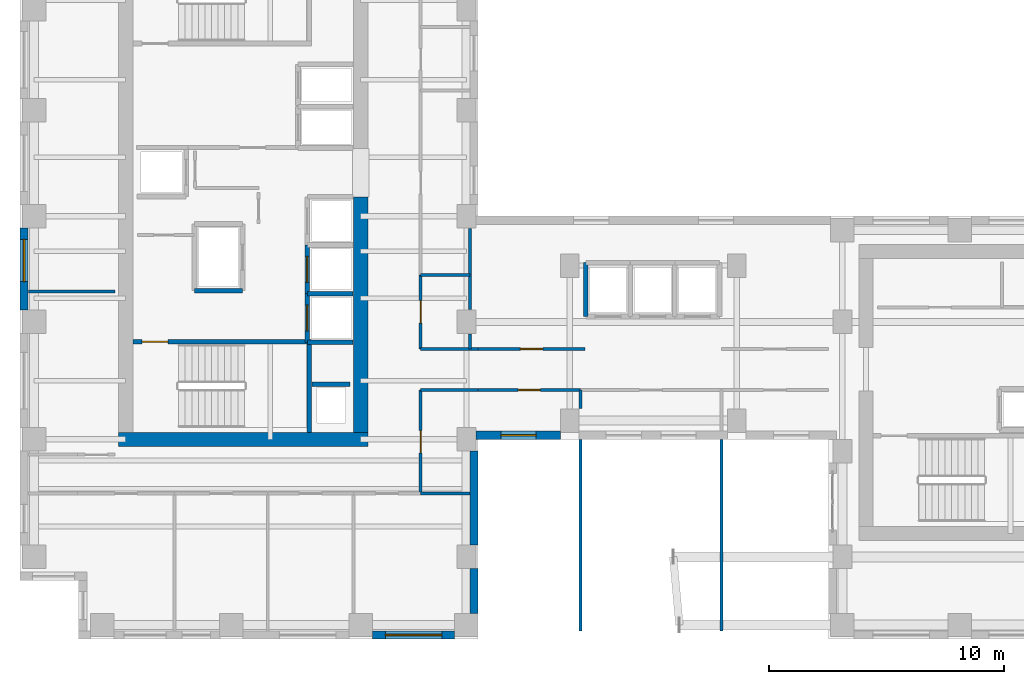
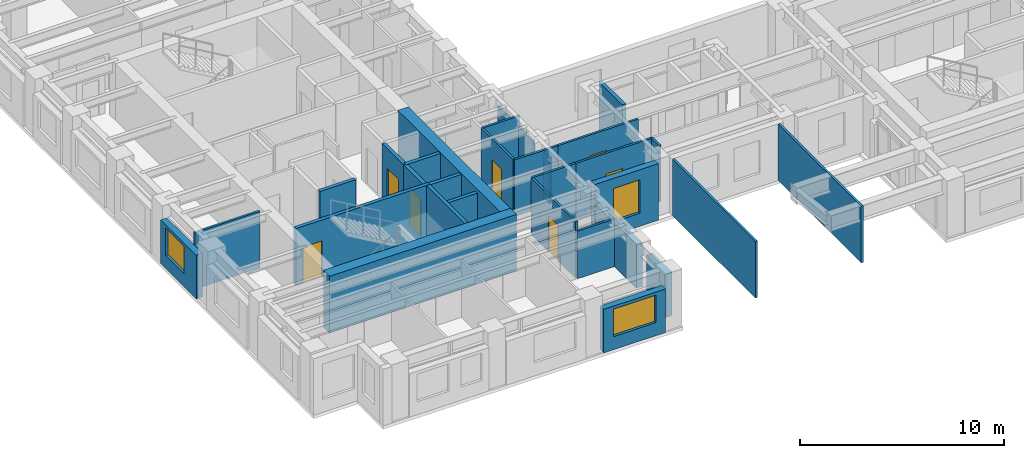
# One storey, part 6 of 13: 30 walls, 7 doors, 3 windows, 10 openings.
"""IFC4 building model written with IfcOpenShell, lengths in metres."""

from ifc_helpers import new_model, si_unit, direction, frame, frame_2d, origin, place, context, subcontext, project, spatial, rectangle, extrude, source, transform, mapped, material, layer, layer_set, type_object, element, fill, save


model = new_model("IFC4")

# Units and contexts
model_context = context("Model", 3, precision=1e-05, world=origin(), true_north=direction((0.0, 1.0)))
body_context = subcontext(model_context, "Body", "Model", "MODEL_VIEW")
ifc_project = project(units=[si_unit("LENGTHUNIT", "METRE"), si_unit("AREAUNIT", "SQUARE_METRE"), si_unit("VOLUMEUNIT", "CUBIC_METRE"), si_unit("PLANEANGLEUNIT", "RADIAN"), si_unit("MASSUNIT", "GRAM", prefix="KILO")], contexts=[model_context])

# Site, building, storey
site_placement = place(None, origin())
site = spatial("IfcSite", under=ifc_project, at=site_placement, CompositionType="ELEMENT")
building_placement = place(site_placement, origin())
building = spatial("IfcBuilding", under=site, at=building_placement, Name="Kharzan Plaza Tower", CompositionType="ELEMENT")
storey_placement = place(building_placement, frame((0.0, 0.0, 175.5)))
storey = spatial("IfcBuildingStorey", under=building, at=storey_placement, Name="L47", CompositionType="ELEMENT", Elevation=175.5)

# Wall, opening, window
ifc_material_1 = material(Name="Concrete C40/50", Category="concrete")
ifc_layer_1 = layer(ifc_material_1, 0.35009765625)
ifc_layer_set_1 = layer_set([ifc_layer_1], Name="Concrete C40/50")
wall_type_1 = type_object("IfcWallType", Name="WL-EXT-MAS-Z3", PredefinedType="SOLIDWALL", material=ifc_layer_set_1)
wall_1_placement = place(storey_placement, frame((0.175048828125, 17.501953125, 0.0), z_axis=(0.0, 0.0, 1.0), x_axis=(0.0, -1.0, 0.0)))
wall_1 = element("IfcWall", 1, at=wall_1_placement, inside=storey, type_object=wall_type_1, Name="L47 Masonry-Frame Exterior Wall 15", PredefinedType="SOLIDWALL", context=body_context, shape_type="SweptSolid", body=[
    extrude(rectangle(XDim=3.50390625, YDim=0.35009765625, at=frame_2d((1.751953125, 0.0))), origin(), (0.0, 0.0, 1.0), 2.612060546875),
])
opening_1_placement = place(wall_1_placement, frame((0.486083984375, 0.0, 0.780029296875)))
opening_1 = element("IfcOpeningElement", 2, at=opening_1_placement, cuts=wall_1, Name="Opening W1", PredefinedType="OPENING", context=body_context, shape_type="SweptSolid", body=[
    extrude(rectangle(XDim=1.800048828125, YDim=1.652099609375, at=frame_2d((0.89990234375, 0.826171875))), frame((0.0, 0.18505859375, 0.0), z_axis=(0.0, -1.0, 0.0), x_axis=(1.0, 0.0, 0.0)), (0.0, 0.0, 1.0), 0.3701171875),
])
ifc_material_2 = material(Name="Low-E Double Glazing", Category="glass")
window_type_1 = type_object("IfcWindowType", Name="WN-REC-1800x2100", PartitioningType="SINGLE_PANEL", PredefinedType="WINDOW", material=ifc_material_2)
shared_shape_1 = source(origin(), body_context, "Body", "SweptSolid", [
    extrude(rectangle(XDim=1.800048828125, YDim=1.652099609375, at=frame_2d((0.89990234375, 0.826171875))), frame((0.0, 0.030029296875, 0.0), z_axis=(0.0, -1.0, 0.0), x_axis=(1.0, 0.0, 0.0)), (0.0, 0.0, 1.0), 0.06005859375),
])
window_1_placement = place(opening_1_placement, origin())
window_1 = element("IfcWindow", 3, at=window_1_placement, inside=storey, type_object=window_type_1, Name="L47 Recessed Solar-Control Window 15-1", OverallHeight=1.652099609375, OverallWidth=1.800048828125, PartitioningType="SINGLE_PANEL", PredefinedType="WINDOW", context=body_context, shape_type="MappedRepresentation", body=[
    mapped(shared_shape_1, transform((0.0, 0.0, 0.0), x_axis=(1.0, 0.0, 0.0), y_axis=(0.0, 1.0, 0.0), z_axis=(0.0, 0.0, 1.0))),
])
fill(opening_1, window_1)

wall_2_placement = place(storey_placement, frame((14.998046875, 0.175048828125, 0.0), z_axis=(0.0, 0.0, 1.0), x_axis=(1.0, 0.0, 0.0)))
wall_2 = element("IfcWall", 4, at=wall_2_placement, inside=storey, type_object=wall_type_1, Name="L47 Masonry-Frame Exterior Wall 23", PredefinedType="SOLIDWALL", context=body_context, shape_type="SweptSolid", body=[
    extrude(rectangle(XDim=3.50390625, YDim=0.35009765625, at=frame_2d((1.751953125, 0.0))), origin(), (0.0, 0.0, 1.0), 2.612060546875),
])
opening_2_placement = place(wall_2_placement, frame((0.552001953125, 0.0, 0.780029296875)))
opening_2 = element("IfcOpeningElement", 5, at=opening_2_placement, cuts=wall_2, Name="Opening W2", PredefinedType="OPENING", context=body_context, shape_type="SweptSolid", body=[
    extrude(rectangle(XDim=2.39990234375, YDim=1.652099609375, at=frame_2d((1.199951171875, 0.826171875))), frame((0.0, 0.18505859375, 0.0), z_axis=(0.0, -1.0, 0.0), x_axis=(1.0, 0.0, 0.0)), (0.0, 0.0, 1.0), 0.3701171875),
])
window_type_2 = type_object("IfcWindowType", Name="WN-REC-2400x2100", PartitioningType="SINGLE_PANEL", PredefinedType="WINDOW", material=ifc_material_2)
shared_shape_2 = source(origin(), body_context, "Body", "SweptSolid", [
    extrude(rectangle(XDim=2.39990234375, YDim=1.652099609375, at=frame_2d((1.199951171875, 0.826171875))), frame((0.0, 0.030029296875, 0.0), z_axis=(0.0, -1.0, 0.0), x_axis=(1.0, 0.0, 0.0)), (0.0, 0.0, 1.0), 0.06005859375),
])
window_2_placement = place(opening_2_placement, origin())
window_2 = element("IfcWindow", 6, at=window_2_placement, inside=storey, type_object=window_type_2, Name="L47 Wide Recessed Solar-Control Window 23-1", OverallHeight=1.652099609375, OverallWidth=2.39990234375, PartitioningType="SINGLE_PANEL", PredefinedType="WINDOW", context=body_context, shape_type="MappedRepresentation", body=[
    mapped(shared_shape_2, transform((0.0, 0.0, 0.0), x_axis=(1.0, 0.0, 0.0), y_axis=(0.0, 1.0, 0.0), z_axis=(0.0, 0.0, 1.0))),
])
fill(opening_2, window_2)

wall_3_placement = place(storey_placement, frame((19.39794921875, 8.675048828125, 0.0), z_axis=(0.0, 0.0, 1.0), x_axis=(1.0, 0.0, 0.0)))
wall_3 = element("IfcWall", 7, at=wall_3_placement, inside=storey, type_object=wall_type_1, Name="L47 Masonry-Frame Exterior Wall 26", PredefinedType="SOLIDWALL", context=body_context, shape_type="SweptSolid", body=[
    extrude(rectangle(XDim=3.60400390625, YDim=0.35009765625, at=frame_2d((1.802001953125, 0.0))), origin(), (0.0, 0.0, 1.0), 3.385009765625),
])
opening_3_placement = place(wall_3_placement, frame((1.067138671875, 0.0, 0.780029296875)))
opening_3 = element("IfcOpeningElement", 8, at=opening_3_placement, cuts=wall_3, Name="Opening W5", PredefinedType="OPENING", context=body_context, shape_type="SweptSolid", body=[
    extrude(rectangle(XDim=1.5, YDim=2.0, at=frame_2d((0.75, 1.0))), frame((0.0, 0.18505859375, 0.0), z_axis=(0.0, -1.0, 0.0), x_axis=(1.0, 0.0, 0.0)), (0.0, 0.0, 1.0), 0.3701171875),
])
window_type_3 = type_object("IfcWindowType", Name="WN-SLT-1500x2000", PartitioningType="SINGLE_PANEL", PredefinedType="WINDOW", material=ifc_material_2)
shared_shape_3 = source(origin(), body_context, "Body", "SweptSolid", [
    extrude(rectangle(XDim=1.5, YDim=2.0, at=frame_2d((0.75, 1.0))), frame((0.0, 0.030029296875, 0.0), z_axis=(0.0, -1.0, 0.0), x_axis=(1.0, 0.0, 0.0)), (0.0, 0.0, 1.0), 0.06005859375),
])
window_3_placement = place(opening_3_placement, origin())
window_3 = element("IfcWindow", 9, at=window_3_placement, inside=storey, type_object=window_type_3, Name="L47 Recessed Solar-Control Window 26-1", OverallHeight=2.0, OverallWidth=1.5, PartitioningType="SINGLE_PANEL", PredefinedType="WINDOW", context=body_context, shape_type="MappedRepresentation", body=[
    mapped(shared_shape_3, transform((0.0, 0.0, 0.0), x_axis=(1.0, 0.0, 0.0), y_axis=(0.0, 1.0, 0.0), z_axis=(0.0, 0.0, 1.0))),
])
fill(opening_3, window_3)

# Wall, opening, door
ifc_material_3 = material(Name="Fire-Rated Gypsum Board Partition", Category="gypsum")
ifc_layer_2 = layer(ifc_material_3, 0.125)
ifc_layer_set_2 = layer_set([ifc_layer_2], Name="Fire-Rated Gypsum Board Partition")
wall_type_2 = type_object("IfcWallType", Name="WL-INT-PART-125", PredefinedType="PARTITIONING", material=ifc_layer_set_2)
wall_4_placement = place(storey_placement, frame((17.050048828125, 12.35009765625, 0.0), z_axis=(0.0, 0.0, 1.0), x_axis=(0.0, 1.0, 0.0)))
wall_4 = element("IfcWall", 10, at=wall_4_placement, inside=storey, type_object=wall_type_2, Name="L47 Interior Partition SH-AEWN1", PredefinedType="PARTITIONING", context=body_context, shape_type="SweptSolid", body=[
    extrude(rectangle(XDim=3.14990234375, YDim=0.125, at=frame_2d((1.574951171875, 0.0))), origin(), (0.0, 0.0, 1.0), 3.385009765625),
])
opening_4_placement = place(wall_4_placement, frame((1.10009765625, 0.0, 0.0)))
opening_4 = element("IfcOpeningElement", 11, at=opening_4_placement, cuts=wall_4, Name="Opening OD1", PredefinedType="OPENING", context=body_context, shape_type="SweptSolid", body=[
    extrude(rectangle(XDim=0.949951171875, YDim=2.14990234375, at=frame_2d((0.47509765625, 1.074951171875))), frame((0.0, 0.072509765625, 0.0), z_axis=(0.0, -1.0, 0.0), x_axis=(1.0, 0.0, 0.0)), (0.0, 0.0, 1.0), 0.14501953125),
])
ifc_material_4 = material(Name="Acoustic Solid-Core Stained Oak", Category="timber")
door_type_1 = type_object("IfcDoorType", Name="DR-OFF-SINGLE", OperationType="NOTDEFINED", PredefinedType="DOOR", material=ifc_material_4)
shared_shape_4 = source(origin(), body_context, "Body", "SweptSolid", [
    extrude(rectangle(XDim=0.949951171875, YDim=2.14990234375, at=frame_2d((0.47509765625, 1.074951171875))), frame((0.0, 0.02490234375, 0.0), z_axis=(0.0, -1.0, 0.0), x_axis=(1.0, 0.0, 0.0)), (0.0, 0.0, 1.0), 0.050048828125),
])
door_1_placement = place(opening_4_placement, origin())
door_1 = element("IfcDoor", 12, at=door_1_placement, inside=storey, type_object=door_type_1, Name="L47 Slot Collaboration Door", OperationType="SINGLE_SWING_LEFT", OverallHeight=2.14990234375, OverallWidth=0.949951171875, PredefinedType="DOOR", context=body_context, shape_type="MappedRepresentation", body=[
    mapped(shared_shape_4, transform((0.0, 0.0, 0.0), x_axis=(1.0, 0.0, 0.0), y_axis=(0.0, 1.0, 0.0), z_axis=(0.0, 0.0, 1.0))),
])
fill(opening_4, door_1)

wall_5_placement = place(storey_placement, frame((17.050048828125, 6.199951171875, 0.0), z_axis=(0.0, 0.0, 1.0), x_axis=(0.0, 1.0, 0.0)))
wall_5 = element("IfcWall", 13, at=wall_5_placement, inside=storey, type_object=wall_type_2, Name="L47 Interior Partition SH-AEWS", PredefinedType="PARTITIONING", context=body_context, shape_type="SweptSolid", body=[
    extrude(rectangle(XDim=4.400146484375, YDim=0.125, at=frame_2d((2.2001953125, 0.0))), origin(), (0.0, 0.0, 1.0), 3.385009765625),
])
opening_5_placement = place(wall_5_placement, frame((1.72509765625, 0.0, 0.0)))
opening_5 = element("IfcOpeningElement", 14, at=opening_5_placement, cuts=wall_5, Name="Opening OD1", PredefinedType="OPENING", context=body_context, shape_type="SweptSolid", body=[
    extrude(rectangle(XDim=0.949951171875, YDim=2.14990234375, at=frame_2d((0.47509765625, 1.074951171875))), frame((0.0, 0.072509765625, 0.0), z_axis=(0.0, -1.0, 0.0), x_axis=(1.0, 0.0, 0.0)), (0.0, 0.0, 1.0), 0.14501953125),
])
door_2_placement = place(opening_5_placement, origin())
door_2 = element("IfcDoor", 15, at=door_2_placement, inside=storey, type_object=door_type_1, Name="L47 Slot South Office Door", OperationType="SINGLE_SWING_RIGHT", OverallHeight=2.14990234375, OverallWidth=0.949951171875, PredefinedType="DOOR", context=body_context, shape_type="MappedRepresentation", body=[
    mapped(shared_shape_4, transform((0.0, 0.0, 0.0), x_axis=(1.0, 0.0, 0.0), y_axis=(0.0, 1.0, 0.0), z_axis=(0.0, 0.0, 1.0))),
])
fill(opening_5, door_2)

wall_6_placement = place(storey_placement, frame((19.5, 12.35009765625, 0.0), z_axis=(0.0, 0.0, 1.0), x_axis=(1.0, 0.0, 0.0)))
wall_6 = element("IfcWall", 16, at=wall_6_placement, inside=storey, type_object=wall_type_2, Name="L47 Interior Partition SH-SPNW1", PredefinedType="PARTITIONING", context=body_context, shape_type="SweptSolid", body=[
    extrude(rectangle(XDim=4.550048828125, YDim=0.125, at=frame_2d((2.27490234375, 0.0))), origin(), (0.0, 0.0, 1.0), 3.385009765625),
])
opening_6_placement = place(wall_6_placement, frame((1.800048828125, 0.0, 0.0)))
opening_6 = element("IfcOpeningElement", 17, at=opening_6_placement, cuts=wall_6, Name="Opening OD1", PredefinedType="OPENING", context=body_context, shape_type="SweptSolid", body=[
    extrude(rectangle(XDim=0.949951171875, YDim=2.14990234375, at=frame_2d((0.47509765625, 1.074951171875))), frame((0.0, 0.072509765625, 0.0), z_axis=(0.0, -1.0, 0.0), x_axis=(1.0, 0.0, 0.0)), (0.0, 0.0, 1.0), 0.14501953125),
])
door_3_placement = place(opening_6_placement, origin())
door_3 = element("IfcDoor", 18, at=door_3_placement, inside=storey, type_object=door_type_1, Name="L47 North-West Spine Door", OperationType="SINGLE_SWING_RIGHT", OverallHeight=2.14990234375, OverallWidth=0.949951171875, PredefinedType="DOOR", context=body_context, shape_type="MappedRepresentation", body=[
    mapped(shared_shape_4, transform((0.0, 0.0, 0.0), x_axis=(1.0, 0.0, 0.0), y_axis=(0.0, 1.0, 0.0), z_axis=(0.0, 0.0, 1.0))),
])
fill(opening_6, door_3)

wall_7_placement = place(storey_placement, frame((19.5, 10.60009765625, 0.0), z_axis=(0.0, 0.0, 1.0), x_axis=(1.0, 0.0, 0.0)))
wall_7 = element("IfcWall", 19, at=wall_7_placement, inside=storey, type_object=wall_type_2, Name="L47 Interior Partition SH-SPS1", PredefinedType="PARTITIONING", context=body_context, shape_type="SweptSolid", body=[
    extrude(rectangle(XDim=4.35009765625, YDim=0.125, at=frame_2d((2.175048828125, 0.0))), origin(), (0.0, 0.0, 1.0), 3.385009765625),
])
opening_7_placement = place(wall_7_placement, frame((1.699951171875, 0.0, 0.0)))
opening_7 = element("IfcOpeningElement", 20, at=opening_7_placement, cuts=wall_7, Name="Opening OD1", PredefinedType="OPENING", context=body_context, shape_type="SweptSolid", body=[
    extrude(rectangle(XDim=0.949951171875, YDim=2.14990234375, at=frame_2d((0.47509765625, 1.074951171875))), frame((0.0, 0.072509765625, 0.0), z_axis=(0.0, -1.0, 0.0), x_axis=(1.0, 0.0, 0.0)), (0.0, 0.0, 1.0), 0.14501953125),
])
door_4_placement = place(opening_7_placement, origin())
door_4 = element("IfcDoor", 21, at=door_4_placement, inside=storey, type_object=door_type_1, Name="L47 Spine Studio 1 Door", OperationType="SINGLE_SWING_LEFT", OverallHeight=2.14990234375, OverallWidth=0.949951171875, PredefinedType="DOOR", context=body_context, shape_type="MappedRepresentation", body=[
    mapped(shared_shape_4, transform((0.0, 0.0, 0.0), x_axis=(1.0, 0.0, 0.0), y_axis=(0.0, 1.0, 0.0), z_axis=(0.0, 0.0, 1.0))),
])
fill(opening_7, door_4)

ifc_layer_3 = layer(ifc_material_1, 0.199951171875)
ifc_layer_set_3 = layer_set([ifc_layer_3], Name="Concrete C40/50")
wall_type_3 = type_object("IfcWallType", Name="WL-INT-SHAFT-200", PredefinedType="PARTITIONING", material=ifc_layer_set_3)
wall_8_placement = place(storey_placement, frame((12.22998046875, 12.6298828125, 0.0), z_axis=(0.0, 0.0, 1.0), x_axis=(0.0, 1.0, 0.0)))
wall_8 = element("IfcWall", 22, at=wall_8_placement, inside=storey, type_object=wall_type_3, Name="L47 Interior Partition SHF-PL-H1-W", PredefinedType="PARTITIONING", context=body_context, shape_type="SweptSolid", body=[
    extrude(rectangle(XDim=2.070068359375, YDim=0.199951171875, at=frame_2d((1.03515625, 0.0))), origin(), (0.0, 0.0, 1.0), 3.385009765625),
])
opening_8_placement = place(wall_8_placement, frame((0.485107421875, 0.0, 0.0)))
opening_8 = element("IfcOpeningElement", 23, at=opening_8_placement, cuts=wall_8, Name="Opening LD", PredefinedType="OPENING", context=body_context, shape_type="SweptSolid", body=[
    extrude(rectangle(XDim=1.10009765625, YDim=2.199951171875, at=frame_2d((0.550048828125, 1.10009765625))), frame((0.0, 0.10986328125, 0.0), z_axis=(0.0, -1.0, 0.0), x_axis=(1.0, 0.0, 0.0)), (0.0, 0.0, 1.0), 0.219970703125),
])
ifc_material_5 = material(Name="Brushed Stainless Steel", Category="steel")
door_type_2 = type_object("IfcDoorType", Name="DR-LIFT-SLIDE", OperationType="SLIDING_TO_LEFT", PredefinedType="DOOR", material=ifc_material_5)
shared_shape_5 = source(origin(), body_context, "Body", "SweptSolid", [
    extrude(rectangle(XDim=1.10009765625, YDim=2.199951171875, at=frame_2d((0.550048828125, 1.10009765625))), frame((0.0, 0.02490234375, 0.0), z_axis=(0.0, -1.0, 0.0), x_axis=(1.0, 0.0, 0.0)), (0.0, 0.0, 1.0), 0.050048828125),
])
door_5_placement = place(opening_8_placement, origin())
door_5 = element("IfcDoor", 24, at=door_5_placement, inside=storey, type_object=door_type_2, Name="L47 High-Rise Passenger Lift PL-H1 Sliding Landing Door", OperationType="SLIDING_TO_LEFT", OverallHeight=2.199951171875, OverallWidth=1.10009765625, PredefinedType="DOOR", context=body_context, shape_type="MappedRepresentation", body=[
    mapped(shared_shape_5, transform((0.0, 0.0, 0.0), x_axis=(1.0, 0.0, 0.0), y_axis=(0.0, 1.0, 0.0), z_axis=(0.0, 0.0, 1.0))),
])
fill(opening_8, door_5)

wall_9_placement = place(storey_placement, frame((12.22998046875, 14.699951171875, 0.0), z_axis=(0.0, 0.0, 1.0), x_axis=(0.0, 1.0, 0.0)))
wall_9 = element("IfcWall", 25, at=wall_9_placement, inside=storey, type_object=wall_type_3, Name="L47 Interior Partition SHF-PL-H2-W", PredefinedType="PARTITIONING", context=body_context, shape_type="SweptSolid", body=[
    extrude(rectangle(XDim=2.070068359375, YDim=0.199951171875, at=frame_2d((1.03515625, 0.0))), origin(), (0.0, 0.0, 1.0), 3.385009765625),
])
opening_9_placement = place(wall_9_placement, frame((0.485107421875, 0.0, 0.0)))
opening_9 = element("IfcOpeningElement", 26, at=opening_9_placement, cuts=wall_9, Name="Opening LD", PredefinedType="OPENING", context=body_context, shape_type="SweptSolid", body=[
    extrude(rectangle(XDim=1.10009765625, YDim=2.199951171875, at=frame_2d((0.550048828125, 1.10009765625))), frame((0.0, 0.10986328125, 0.0), z_axis=(0.0, -1.0, 0.0), x_axis=(1.0, 0.0, 0.0)), (0.0, 0.0, 1.0), 0.219970703125),
])
door_6_placement = place(opening_9_placement, origin())
door_6 = element("IfcDoor", 27, at=door_6_placement, inside=storey, type_object=door_type_2, Name="L47 High-Rise Passenger Lift PL-H2 Sliding Landing Door", OperationType="SLIDING_TO_LEFT", OverallHeight=2.199951171875, OverallWidth=1.10009765625, PredefinedType="DOOR", context=body_context, shape_type="MappedRepresentation", body=[
    mapped(shared_shape_5, transform((0.0, 0.0, 0.0), x_axis=(1.0, 0.0, 0.0), y_axis=(0.0, 1.0, 0.0), z_axis=(0.0, 0.0, 1.0))),
])
fill(opening_9, door_6)

ifc_material_6 = material(Name="Concrete C50/60", Category="concrete")
ifc_layer_4 = layer(ifc_material_6, 0.199951171875)
ifc_layer_set_4 = layer_set([ifc_layer_4], Name="Concrete C50/60")
wall_type_4 = type_object("IfcWallType", Name="WL-SHAFT-RC200", PredefinedType="SHEAR", material=ifc_layer_set_4)
wall_10_placement = place(storey_placement, frame((4.802001953125, 12.655029296875, 0.0), z_axis=(0.0, 0.0, 1.0), x_axis=(1.0, 0.0, 0.0)))
wall_10 = element("IfcWall", 28, at=wall_10_placement, inside=storey, type_object=wall_type_4, Name="L47 Stair ST-1 North RC Shaft Wall", PredefinedType="SHEAR", context=body_context, shape_type="SweptSolid", body=[
    extrude(rectangle(XDim=7.60302734375, YDim=0.199951171875, at=frame_2d((3.801513671875, 0.0))), origin(), (0.0, 0.0, 1.0), 3.39990234375),
])
opening_10_placement = place(wall_10_placement, frame((0.39990234375, 0.0, 0.0)))
opening_10 = element("IfcOpeningElement", 29, at=opening_10_placement, cuts=wall_10, Name="Opening SD1", PredefinedType="OPENING", context=body_context, shape_type="SweptSolid", body=[
    extrude(rectangle(XDim=1.10009765625, YDim=2.14990234375, at=frame_2d((0.550048828125, 1.074951171875))), frame((0.0, 0.10986328125, 0.0), z_axis=(0.0, -1.0, 0.0), x_axis=(1.0, 0.0, 0.0)), (0.0, 0.0, 1.0), 0.219970703125),
])
ifc_material_7 = material(Name="Fire-Rated Hollow Galvanized Steel", Category="steel")
door_type_3 = type_object("IfcDoorType", Name="DR-STAIR-FD120", OperationType="NOTDEFINED", PredefinedType="DOOR", material=ifc_material_7)
shared_shape_6 = source(origin(), body_context, "Body", "SweptSolid", [
    extrude(rectangle(XDim=1.10009765625, YDim=2.14990234375, at=frame_2d((0.550048828125, 1.074951171875))), frame((0.0, 0.02490234375, 0.0), z_axis=(0.0, -1.0, 0.0), x_axis=(1.0, 0.0, 0.0)), (0.0, 0.0, 1.0), 0.050048828125),
])
door_7_placement = place(opening_10_placement, origin())
door_7 = element("IfcDoor", 30, at=door_7_placement, inside=storey, type_object=door_type_3, Name="L47 Stair ST-1 Fire Exit Door", OperationType="SINGLE_SWING_RIGHT", OverallHeight=2.14990234375, OverallWidth=1.10009765625, PredefinedType="DOOR", context=body_context, shape_type="MappedRepresentation", body=[
    mapped(shared_shape_6, transform((0.0, 0.0, 0.0), x_axis=(1.0, 0.0, 0.0), y_axis=(0.0, 1.0, 0.0), z_axis=(0.0, 0.0, 1.0))),
])
fill(opening_10, door_7)

# Walls
ifc_layer_5 = layer(ifc_material_6, 0.60009765625)
ifc_layer_set_5 = layer_set([ifc_layer_5], Name="Concrete C50/60")
wall_type_5 = type_object("IfcWallType", Name="WL-CORE-600", PredefinedType="SHEAR", material=ifc_layer_set_5)
shared_shape_7 = source(origin(), body_context, "Body", "SweptSolid", [
    extrude(rectangle(XDim=10.02001953125, YDim=0.60009765625, at=frame_2d((5.010009765625, 0.0))), origin(), (0.0, 0.0, 1.0), 3.39990234375),
])
wall_11_placement = place(storey_placement, frame((14.5, 8.800048828125, 0.0), z_axis=(0.0, 0.0, 1.0), x_axis=(0.0, 1.0, 0.0)))
element("IfcWall", 31, at=wall_11_placement, inside=storey, type_object=wall_type_5, Name="L47 CORE-A east shear pier 1", PredefinedType="SHEAR", context=body_context, shape_type="MappedRepresentation", body=[
    mapped(shared_shape_7, transform((0.0, 0.0, 0.0), x_axis=(1.0, 0.0, 0.0), y_axis=(0.0, 1.0, 0.0), z_axis=(0.0, 0.0, 1.0))),
])
shared_shape_8 = source(origin(), body_context, "Body", "SweptSolid", [
    extrude(rectangle(XDim=10.60009765625, YDim=0.60009765625, at=frame_2d((5.300048828125, 0.0))), origin(), (0.0, 0.0, 1.0), 3.39990234375),
])
wall_12_placement = place(storey_placement, frame((4.199951171875, 8.5, 0.0), z_axis=(0.0, 0.0, 1.0), x_axis=(1.0, 0.0, 0.0)))
element("IfcWall", 32, at=wall_12_placement, inside=storey, type_object=wall_type_5, Name="L47 CORE-A south RC shear wall", PredefinedType="SHEAR", context=body_context, shape_type="MappedRepresentation", body=[
    mapped(shared_shape_8, transform((0.0, 0.0, 0.0), x_axis=(1.0, 0.0, 0.0), y_axis=(0.0, 1.0, 0.0), z_axis=(0.0, 0.0, 1.0))),
])
shared_shape_9 = source(origin(), body_context, "Body", "SweptSolid", [
    extrude(rectangle(XDim=2.099853515625, YDim=0.125, at=frame_2d((1.0498046875, 0.0))), origin(), (0.0, 0.0, 1.0), 3.385009765625),
])
wall_13_placement = place(storey_placement, frame((17.050048828125, 15.5, 0.0), z_axis=(0.0, 0.0, 1.0), x_axis=(1.0, 0.0, 0.0)))
element("IfcWall", 33, at=wall_13_placement, inside=storey, type_object=wall_type_2, Name="L47 Interior Partition SH-AEH-155", PredefinedType="PARTITIONING", context=body_context, shape_type="MappedRepresentation", body=[
    mapped(shared_shape_9, transform((0.0, 0.0, 0.0), x_axis=(1.0, 0.0, 0.0), y_axis=(0.0, 1.0, 0.0), z_axis=(0.0, 0.0, 1.0))),
])
shared_shape_10 = source(origin(), body_context, "Body", "SweptSolid", [
    extrude(rectangle(XDim=0.6298828125, YDim=0.125, at=frame_2d((0.31494140625, 0.0))), origin(), (0.0, 0.0, 1.0), 2.77294921875),
])
wall_14_placement = place(storey_placement, frame((19.14990234375, 12.35009765625, 0.0), z_axis=(0.0, 0.0, 1.0), x_axis=(0.0, 1.0, 0.0)))
element("IfcWall", 34, at=wall_14_placement, inside=storey, type_object=wall_type_2, Name="L47 Interior Partition SH-AEN-DIV-S1", PredefinedType="PARTITIONING", context=body_context, shape_type="MappedRepresentation", body=[
    mapped(shared_shape_10, transform((0.0, 0.0, 0.0), x_axis=(1.0, 0.0, 0.0), y_axis=(0.0, 1.0, 0.0), z_axis=(0.0, 0.0, 1.0))),
])
shared_shape_11 = source(origin(), body_context, "Body", "SweptSolid", [
    extrude(rectangle(XDim=3.4599609375, YDim=0.125, at=frame_2d((1.72998046875, 0.0))), origin(), (0.0, 0.0, 1.0), 2.77294921875),
])
wall_15_placement = place(storey_placement, frame((19.14990234375, 14.02001953125, 0.0), z_axis=(0.0, 0.0, 1.0), x_axis=(0.0, 1.0, 0.0)))
element("IfcWall", 35, at=wall_15_placement, inside=storey, type_object=wall_type_2, Name="L47 Interior Partition SH-AEN-DIV-S2", PredefinedType="PARTITIONING", context=body_context, shape_type="MappedRepresentation", body=[
    mapped(shared_shape_11, transform((0.0, 0.0, 0.0), x_axis=(1.0, 0.0, 0.0), y_axis=(0.0, 1.0, 0.0), z_axis=(0.0, 0.0, 1.0))),
])
shared_shape_12 = source(origin(), body_context, "Body", "SweptSolid", [
    extrude(rectangle(XDim=2.449951171875, YDim=0.125, at=frame_2d((1.22509765625, 0.0))), origin(), (0.0, 0.0, 1.0), 3.385009765625),
])
for number, where, z_axis, x_axis, name in (
    (36, (17.050048828125, 12.35009765625, 0.0), (0.0, 0.0, 1.0), (1.0, 0.0, 0.0), "L47 Interior Partition SH-SPNW0"),
    (37, (17.050048828125, 10.60009765625, 0.0), (0.0, 0.0, 1.0), (1.0, 0.0, 0.0), "L47 Interior Partition SH-SPS0"),
):
    element("IfcWall", number, at=place(storey_placement, frame(where, z_axis=z_axis, x_axis=x_axis)), inside=storey, type_object=wall_type_2, Name=name, PredefinedType="PARTITIONING", context=body_context, shape_type="MappedRepresentation", body=[
        mapped(shared_shape_12, transform((0.0, 0.0, 0.0), x_axis=(1.0, 0.0, 0.0), y_axis=(0.0, 1.0, 0.0), z_axis=(0.0, 0.0, 1.0))),
    ])
shared_shape_13 = source(origin(), body_context, "Body", "SweptSolid", [
    extrude(rectangle(XDim=2.097900390625, YDim=0.125, at=frame_2d((1.048828125, 0.0))), origin(), (0.0, 0.0, 1.0), 2.847900390625),
])
wall_16_placement = place(storey_placement, frame((17.050048828125, 6.199951171875, 0.0), z_axis=(0.0, 0.0, 1.0), x_axis=(1.0, 0.0, 0.0)))
element("IfcWall", 38, at=wall_16_placement, inside=storey, type_object=wall_type_2, Name="L47 Interior Partition SH-SSE-4", PredefinedType="PARTITIONING", context=body_context, shape_type="MappedRepresentation", body=[
    mapped(shared_shape_13, transform((0.0, 0.0, 0.0), x_axis=(1.0, 0.0, 0.0), y_axis=(0.0, 1.0, 0.0), z_axis=(0.0, 0.0, 1.0))),
])
shared_shape_14 = source(origin(), body_context, "Body", "SweptSolid", [
    extrude(rectangle(XDim=1.630126953125, YDim=0.199951171875, at=frame_2d((0.81494140625, 0.0))), origin(), (0.0, 0.0, 1.0), 3.385009765625),
])
wall_17_placement = place(storey_placement, frame((12.419921875, 10.85009765625, 0.0), z_axis=(0.0, 0.0, 1.0), x_axis=(1.0, 0.0, 0.0)))
element("IfcWall", 39, at=wall_17_placement, inside=storey, type_object=wall_type_3, Name="L47 Interior Partition CA-RSRA-N", PredefinedType="PARTITIONING", context=body_context, shape_type="MappedRepresentation", body=[
    mapped(shared_shape_14, transform((0.0, 0.0, 0.0), x_axis=(1.0, 0.0, 0.0), y_axis=(0.0, 1.0, 0.0), z_axis=(0.0, 0.0, 1.0))),
])
shared_shape_15 = source(origin(), body_context, "Body", "SweptSolid", [
    extrude(rectangle(XDim=1.93994140625, YDim=0.199951171875, at=frame_2d((0.969970703125, 0.0))), origin(), (0.0, 0.0, 1.0), 3.385009765625),
])
for number, where, z_axis, x_axis, name in (
    (40, (12.22998046875, 14.699951171875, 0.0), (0.0, 0.0, 1.0), (1.0, 0.0, 0.0), "L47 Interior Partition SHF-PL-H1-N"),
    (41, (12.22998046875, 12.6298828125, 0.0), (0.0, 0.0, 1.0), (1.0, 0.0, 0.0), "L47 Interior Partition SHF-PL-H1-S"),
):
    element("IfcWall", number, at=place(storey_placement, frame(where, z_axis=z_axis, x_axis=x_axis)), inside=storey, type_object=wall_type_3, Name=name, PredefinedType="PARTITIONING", context=body_context, shape_type="MappedRepresentation", body=[
        mapped(shared_shape_15, transform((0.0, 0.0, 0.0), x_axis=(1.0, 0.0, 0.0), y_axis=(0.0, 1.0, 0.0), z_axis=(0.0, 0.0, 1.0))),
    ])
shared_shape_16 = source(origin(), body_context, "Body", "SweptSolid", [
    extrude(rectangle(XDim=2.2900390625, YDim=0.199951171875, at=frame_2d((1.14501953125, 0.0))), origin(), (0.0, 0.0, 1.0), 3.385009765625),
])
wall_18_placement = place(storey_placement, frame((24.080078125, 13.72998046875, 0.0), z_axis=(0.0, 0.0, 1.0), x_axis=(0.0, 1.0, 0.0)))
element("IfcWall", 42, at=wall_18_placement, inside=storey, type_object=wall_type_3, Name="L47 Interior Partition SHF-PL-M1-W", PredefinedType="PARTITIONING", context=body_context, shape_type="MappedRepresentation", body=[
    mapped(shared_shape_16, transform((0.0, 0.0, 0.0), x_axis=(1.0, 0.0, 0.0), y_axis=(0.0, 1.0, 0.0), z_axis=(0.0, 0.0, 1.0))),
])
shared_shape_17 = source(origin(), body_context, "Body", "SweptSolid", [
    extrude(rectangle(XDim=2.0400390625, YDim=0.199951171875, at=frame_2d((1.02001953125, 0.0))), origin(), (0.0, 0.0, 1.0), 3.385009765625),
])
wall_19_placement = place(storey_placement, frame((7.429931640625, 14.830078125, 0.0), z_axis=(0.0, 0.0, 1.0), x_axis=(1.0, 0.0, 0.0)))
element("IfcWall", 43, at=wall_19_placement, inside=storey, type_object=wall_type_3, Name="L47 Interior Partition SHF-SVL-1-S", PredefinedType="PARTITIONING", context=body_context, shape_type="MappedRepresentation", body=[
    mapped(shared_shape_17, transform((0.0, 0.0, 0.0), x_axis=(1.0, 0.0, 0.0), y_axis=(0.0, 1.0, 0.0), z_axis=(0.0, 0.0, 1.0))),
])
shared_shape_18 = source(origin(), body_context, "Body", "SweptSolid", [
    extrude(rectangle(XDim=3.7529296875, YDim=0.199951171875, at=frame_2d((1.87646484375, 0.0))), origin(), (0.0, 0.0, 1.0), 3.39990234375),
])
wall_20_placement = place(storey_placement, frame((12.304931640625, 8.802001953125, 0.0), z_axis=(0.0, 0.0, 1.0), x_axis=(0.0, 1.0, 0.0)))
element("IfcWall", 44, at=wall_20_placement, inside=storey, type_object=wall_type_4, Name="L47 Stair ST-1 East RC Shaft Wall", PredefinedType="SHEAR", context=body_context, shape_type="MappedRepresentation", body=[
    mapped(shared_shape_18, transform((0.0, 0.0, 0.0), x_axis=(1.0, 0.0, 0.0), y_axis=(0.0, 1.0, 0.0), z_axis=(0.0, 0.0, 1.0))),
])
shared_shape_19 = source(origin(), body_context, "Body", "SweptSolid", [
    extrude(rectangle(XDim=1.904052734375, YDim=0.35009765625, at=frame_2d((0.9521484375, 0.0))), origin(), (0.0, 0.0, 1.0), 2.612060546875),
])
wall_21_placement = place(storey_placement, frame((19.324951171875, 1.097900390625, 0.0), z_axis=(0.0, 0.0, 1.0), x_axis=(0.0, 1.0, 0.0)))
element("IfcWall", 45, at=wall_21_placement, inside=storey, type_object=wall_type_1, Name="L47 Masonry-Frame Exterior Wall 24", PredefinedType="SOLIDWALL", context=body_context, shape_type="MappedRepresentation", body=[
    mapped(shared_shape_19, transform((0.0, 0.0, 0.0), x_axis=(1.0, 0.0, 0.0), y_axis=(0.0, 1.0, 0.0), z_axis=(0.0, 0.0, 1.0))),
])
shared_shape_20 = source(origin(), body_context, "Body", "SweptSolid", [
    extrude(rectangle(XDim=0.780029296875, YDim=0.125, at=frame_2d((0.39013671875, 0.0))), origin(), (0.0, 0.0, 1.0), 3.385009765625),
])
wall_22_placement = place(storey_placement, frame((23.85009765625, 9.820068359375, 0.0), z_axis=(0.0, 0.0, 1.0), x_axis=(0.0, 1.0, 0.0)))
element("IfcWall", 46, at=wall_22_placement, inside=storey, type_object=wall_type_2, Name="L47 Interior Partition SH-SPSV1-S2", PredefinedType="PARTITIONING", context=body_context, shape_type="MappedRepresentation", body=[
    mapped(shared_shape_20, transform((0.0, 0.0, 0.0), x_axis=(1.0, 0.0, 0.0), y_axis=(0.0, 1.0, 0.0), z_axis=(0.0, 0.0, 1.0))),
])
shared_shape_21 = source(origin(), body_context, "Body", "SweptSolid", [
    extrude(rectangle(XDim=3.697998046875, YDim=0.125, at=frame_2d((1.84912109375, 0.0))), origin(), (0.0, 0.0, 1.0), 3.385009765625),
])
wall_23_placement = place(storey_placement, frame((0.35205078125, 14.800048828125, 0.0), z_axis=(0.0, 0.0, 1.0), x_axis=(1.0, 0.0, 0.0)))
element("IfcWall", 47, at=wall_23_placement, inside=storey, type_object=wall_type_2, Name="L47 Interior Partition SH-WMID", PredefinedType="PARTITIONING", context=body_context, shape_type="MappedRepresentation", body=[
    mapped(shared_shape_21, transform((0.0, 0.0, 0.0), x_axis=(1.0, 0.0, 0.0), y_axis=(0.0, 1.0, 0.0), z_axis=(0.0, 0.0, 1.0))),
])
shared_shape_22 = source(origin(), body_context, "Body", "SweptSolid", [
    extrude(rectangle(XDim=4.00390625, YDim=0.35009765625, at=frame_2d((2.001953125, 0.0))), origin(), (0.0, 0.0, 1.0), 2.612060546875),
])
wall_24_placement = place(storey_placement, frame((19.324951171875, 3.998046875, 0.0), z_axis=(0.0, 0.0, 1.0), x_axis=(0.0, 1.0, 0.0)))
element("IfcWall", 48, at=wall_24_placement, inside=storey, type_object=wall_type_1, Name="L47 Masonry-Frame Exterior Wall 25", PredefinedType="SOLIDWALL", context=body_context, shape_type="MappedRepresentation", body=[
    mapped(shared_shape_22, transform((0.0, 0.0, 0.0), x_axis=(1.0, 0.0, 0.0), y_axis=(0.0, 1.0, 0.0), z_axis=(0.0, 0.0, 1.0))),
])
shared_shape_23 = source(origin(), body_context, "Body", "SweptSolid", [
    extrude(rectangle(XDim=8.14794921875, YDim=0.125, at=frame_2d((4.073974609375, 0.0))), origin(), (0.0, 0.0, 1.0), 3.385009765625),
])
for number, where, z_axis, x_axis, name in (
    (49, (23.85009765625, 0.35009765625, 0.0), (0.0, 0.0, 1.0), (0.0, 1.0, 0.0), "L47 Interior Partition SH-SPSV1-S1"),
    (50, (29.85009765625, 0.35009765625, 0.0), (0.0, 0.0, 1.0), (0.0, 1.0, 0.0), "L47 Interior Partition SH-SPSV2-S1"),
):
    element("IfcWall", number, at=place(storey_placement, frame(where, z_axis=z_axis, x_axis=x_axis)), inside=storey, type_object=wall_type_2, Name=name, PredefinedType="PARTITIONING", context=body_context, shape_type="MappedRepresentation", body=[
        mapped(shared_shape_23, transform((0.0, 0.0, 0.0), x_axis=(1.0, 0.0, 0.0), y_axis=(0.0, 1.0, 0.0), z_axis=(0.0, 0.0, 1.0))),
    ])

save(model, "model.ifc")
